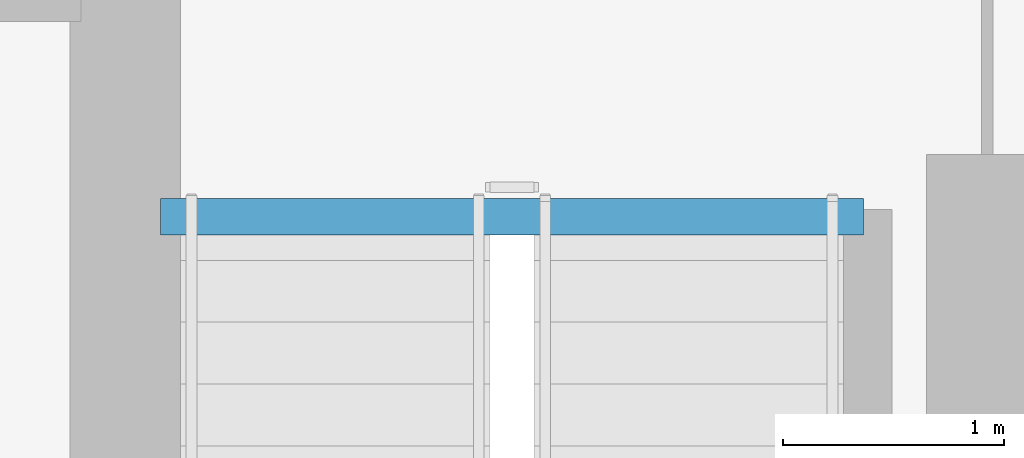
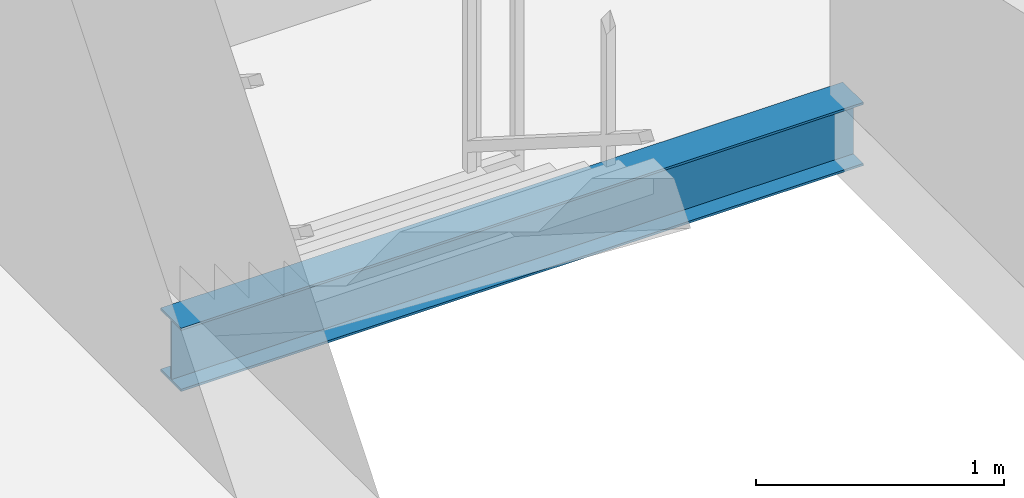
# One storey, part 5 of 16: 1 beam.
"""IFC4 building model written with IfcOpenShell, lengths in metres."""

from ifc_helpers import new_model, si_unit, direction, frame, origin, origin_2d, place, context, subcontext, project, spatial, i_section, extrude, material, material_profile, profile_set, type_object, element, save


model = new_model("IFC4")

# Units and contexts
model_context = context("Model", 3, precision=1e-05, world=origin(), true_north=direction((0.0, 1.0)))
body_context = subcontext(model_context, "Body", "Model", "MODEL_VIEW")
ifc_project = project(units=[si_unit("LENGTHUNIT", "METRE"), si_unit("AREAUNIT", "SQUARE_METRE"), si_unit("VOLUMEUNIT", "CUBIC_METRE"), si_unit("PLANEANGLEUNIT", "RADIAN"), si_unit("MASSUNIT", "GRAM", prefix="KILO")], contexts=[model_context])

# Site, building, storey
site_placement = place(None, origin())
site = spatial("IfcSite", under=ifc_project, at=site_placement, CompositionType="ELEMENT")
building_placement = place(site_placement, origin())
building = spatial("IfcBuilding", under=site, at=building_placement, Name="Qarnah Convention Tower", CompositionType="ELEMENT")
storey_placement = place(building_placement, frame((0.0, 0.0, 283.5)))
storey = spatial("IfcBuildingStorey", under=building, at=storey_placement, Name="L76", CompositionType="ELEMENT", Elevation=283.5)

# Beam
ifc_material = material(Name="Structural steel S355JR", Category="steel")
ifc_material_profile = material_profile(ifc_material, i_section(OverallWidth=0.166015625, OverallDepth=0.31201171875, WebThickness=0.007080078125, FlangeThickness=0.010986328125, at=origin_2d()), Name="W310X45")
ifc_profile_set = profile_set([ifc_material_profile], Name="Structural steel S355JR")
beam_type = type_object("IfcBeamType", Name="BM-JST-W310", PredefinedType="JOIST", material=ifc_profile_set)
beam_placement = place(storey_placement, frame((43.860107421875, 25.217041015625, -0.156005859375), z_axis=(1.0, 0.0, 0.0), x_axis=(0.0, 1.0, 0.0)))
element("IfcBeam", 1, at=beam_placement, inside=storey, type_object=beam_type, Name="L76 stair landing trimmer beam BM-L76-ST2-TRM", PredefinedType="BEAM", context=body_context, shape_type="SweptSolid", body=[
    extrude(i_section(OverallWidth=0.166015625, OverallDepth=0.31201171875, WebThickness=0.007080078125, FlangeThickness=0.010986328125, at=origin_2d()), origin(), (0.0, 0.0, 1.0), 3.179931640625),
])

save(model, "model.ifc")
